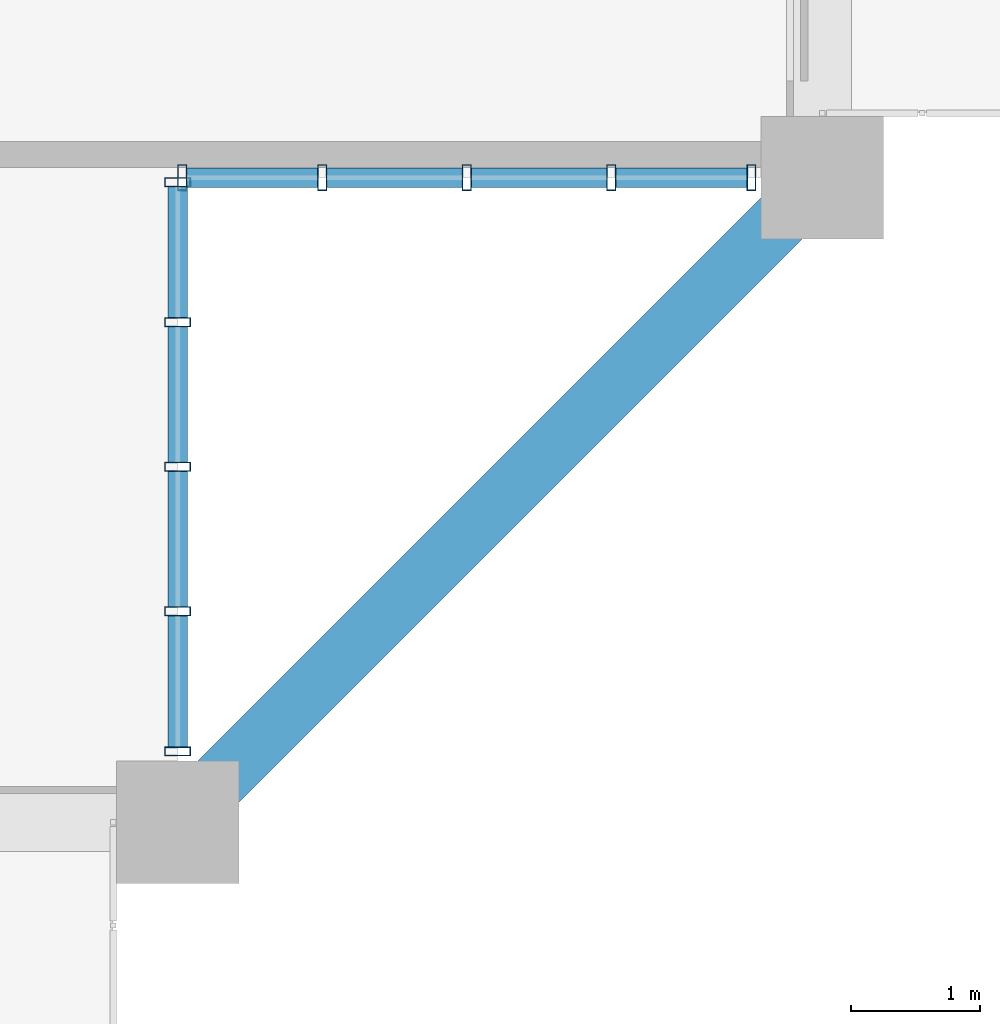
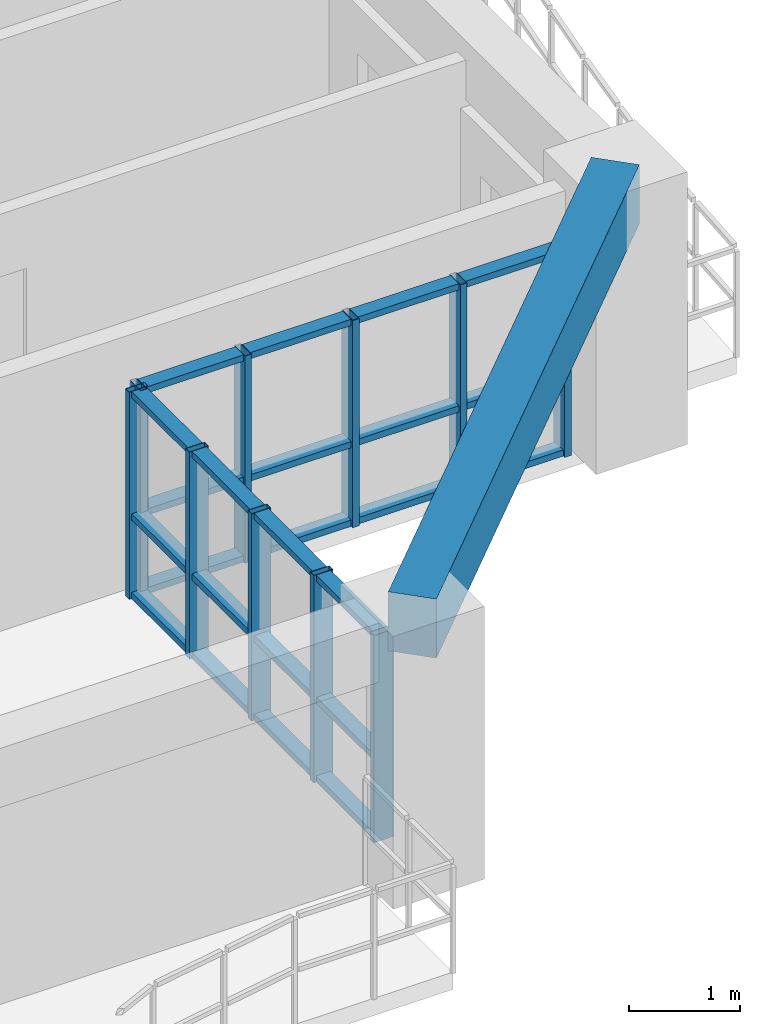
# One storey, part 4 of 23: 34 members, 1 beam, 2 elements without a shape of their own.
"""IFC4 building model written with IfcOpenShell, lengths in metres."""

from ifc_helpers import new_model, si_unit, direction, frame, origin, origin_2d, place, context, subcontext, project, spatial, rectangle, hollow_rectangle, extrude, source, transform, mapped, material, layer, layer_set, material_profile, profile_set, type_object, element, aggregate, save


model = new_model("IFC4")

# Units and contexts
model_context = context("Model", 3, precision=1e-05, world=origin(), true_north=direction((0.0, 1.0)))
body_context = subcontext(model_context, "Body", "Model", "MODEL_VIEW")
ifc_project = project(units=[si_unit("LENGTHUNIT", "METRE"), si_unit("AREAUNIT", "SQUARE_METRE"), si_unit("VOLUMEUNIT", "CUBIC_METRE"), si_unit("PLANEANGLEUNIT", "RADIAN"), si_unit("MASSUNIT", "GRAM", prefix="KILO")], contexts=[model_context])

# Site, building, storey
site_placement = place(None, origin())
site = spatial("IfcSite", under=ifc_project, at=site_placement, CompositionType="ELEMENT")
building_placement = place(site_placement, origin())
building = spatial("IfcBuilding", under=site, at=building_placement, Name="Saelheon Loggia Tower", CompositionType="ELEMENT")
storey_placement = place(building_placement, frame((0.0, 0.0, 156.10009765625)))
storey = spatial("IfcBuildingStorey", under=building, at=storey_placement, Name="L49", CompositionType="ELEMENT", Elevation=156.10009765625)

# Beam
ifc_material_1 = material(Name="Concrete C40/50", Category="concrete")
ifc_material_profile_1 = material_profile(ifc_material_1, rectangle(XDim=0.449951171875, YDim=0.64990234375, at=origin_2d()), Name="RC-450x650")
ifc_profile_set_1 = profile_set([ifc_material_profile_1], Name="Concrete C40/50")
beam_type = type_object("IfcBeamType", Name="Beam_PerimTower_RC450x650", PredefinedType="BEAM", material=ifc_profile_set_1)
shared_shape_1 = source(origin(), body_context, "Body", "SweptSolid", [
    extrude(rectangle(XDim=0.449951171875, YDim=0.64990234375, at=origin_2d()), origin(), (0.0, 0.0, 1.0), 7.071044921875),
])
beam_placement = place(storey_placement, frame((55.0, 6.0, 2.6748046875), z_axis=(0.707106781187, 0.707106781187, 0.0), x_axis=(-0.707106781187, 0.707106781187, 0.0)))
element("IfcBeam", 1, at=beam_placement, inside=storey, type_object=beam_type, Name="L49 Perimeter Frame Girder 04", PredefinedType="BEAM", context=body_context, shape_type="MappedRepresentation", body=[
    mapped(shared_shape_1, transform((0.0, 0.0, 0.0), scale=1.0)),
])

# Curtain wall, members
ifc_material_2 = material(Name="High-Wind Aluminium and Triple Laminated Glass", Category="aluminium")
ifc_layer = layer(ifc_material_2, 0.179931640625)
ifc_layer_set = layer_set([ifc_layer], Name="High-Wind Aluminium and Triple Laminated Glass")
curtain_wall_type = type_object("IfcCurtainWallType", Name="CW_TowerLoggiaHigh", PredefinedType="NOTDEFINED", material=ifc_layer_set)
curtain_wall_1_placement = place(storey_placement, origin())
curtain_wall_1 = element("IfcCurtainWall", 2, at=curtain_wall_1_placement, inside=storey, type_object=curtain_wall_type, Name="L49 Corner Notch Glazing SE1", PredefinedType="NOTDEFINED")
ifc_material_3 = material(Name="Anodised Aluminium 6063-T6", Category="aluminium")
ifc_material_profile_2 = material_profile(ifc_material_3, hollow_rectangle(XDim=0.070068359375, YDim=0.199951171875, WallThickness=0.0048828125, at=origin_2d()), Name="RHS-200x70x5")
ifc_profile_set_2 = profile_set([ifc_material_profile_2], Name="Anodised Aluminium 6063-T6")
member_type_1 = type_object("IfcMemberType", Name="CW_TowerLoggiaHigh_Mullion", PredefinedType="MULLION", material=ifc_profile_set_2)
shared_shape_2 = source(origin(), body_context, "Body", "SweptSolid", [
    extrude(hollow_rectangle(XDim=0.070068359375, YDim=0.199951171875, WallThickness=0.0048828125, at=origin_2d()), origin(), (0.0, 0.0, 1.0), 2.27978515625),
])
member_1_placement = place(storey_placement, frame((55.0, 6.550048828125, 0.0), z_axis=(0.0, 0.0, 1.0), x_axis=(0.0, 1.0, 0.0)))
member_1 = element("IfcMember", 3, at=member_1_placement, type_object=member_type_1, Name="CW4 mullion 1", PredefinedType="MULLION", context=body_context, shape_type="MappedRepresentation", body=[
    mapped(shared_shape_2, transform((0.0, 0.0, 0.0), scale=1.0)),
])
member_2_placement = place(storey_placement, frame((55.0, 7.63623046875, 0.0), z_axis=(0.0, 0.0, 1.0), x_axis=(0.0, 1.0, 0.0)))
member_2 = element("IfcMember", 4, at=member_2_placement, type_object=member_type_1, Name="CW4 mullion 2", PredefinedType="MULLION", context=body_context, shape_type="MappedRepresentation", body=[
    mapped(shared_shape_2, transform((0.0, 0.0, 0.0), scale=1.0)),
])
member_3_placement = place(storey_placement, frame((55.0, 8.757568359375, 0.0), z_axis=(0.0, 0.0, 1.0), x_axis=(0.0, 1.0, 0.0)))
member_3 = element("IfcMember", 5, at=member_3_placement, type_object=member_type_1, Name="CW4 mullion 3", PredefinedType="MULLION", context=body_context, shape_type="MappedRepresentation", body=[
    mapped(shared_shape_2, transform((0.0, 0.0, 0.0), scale=1.0)),
])
member_4_placement = place(storey_placement, frame((55.0, 9.878662109375, 0.0), z_axis=(0.0, 0.0, 1.0), x_axis=(0.0, 1.0, 0.0)))
member_4 = element("IfcMember", 6, at=member_4_placement, type_object=member_type_1, Name="CW4 mullion 4", PredefinedType="MULLION", context=body_context, shape_type="MappedRepresentation", body=[
    mapped(shared_shape_2, transform((0.0, 0.0, 0.0), scale=1.0)),
])
member_5_placement = place(storey_placement, frame((55.0, 10.965087890625, 0.0), z_axis=(0.0, 0.0, 1.0), x_axis=(0.0, 1.0, 0.0)))
member_5 = element("IfcMember", 7, at=member_5_placement, type_object=member_type_1, Name="CW4 mullion 5", PredefinedType="MULLION", context=body_context, shape_type="MappedRepresentation", body=[
    mapped(shared_shape_2, transform((0.0, 0.0, 0.0), scale=1.0)),
])

curtain_wall_2_placement = place(storey_placement, origin())
curtain_wall_2 = element("IfcCurtainWall", 8, at=curtain_wall_2_placement, inside=storey, type_object=curtain_wall_type, Name="L49 Corner Notch Glazing SE2", PredefinedType="NOTDEFINED")
member_6_placement = place(storey_placement, frame((55.034912109375, 11.0, 0.0), z_axis=(0.0, 0.0, 1.0), x_axis=(1.0, 0.0, 0.0)))
member_6 = element("IfcMember", 9, at=member_6_placement, type_object=member_type_1, Name="CW4 mullion 1", PredefinedType="MULLION", context=body_context, shape_type="MappedRepresentation", body=[
    mapped(shared_shape_2, transform((0.0, 0.0, 0.0), scale=1.0)),
])
member_7_placement = place(storey_placement, frame((56.121337890625, 11.0, 0.0), z_axis=(0.0, 0.0, 1.0), x_axis=(1.0, 0.0, 0.0)))
member_7 = element("IfcMember", 10, at=member_7_placement, type_object=member_type_1, Name="CW4 mullion 2", PredefinedType="MULLION", context=body_context, shape_type="MappedRepresentation", body=[
    mapped(shared_shape_2, transform((0.0, 0.0, 0.0), scale=1.0)),
])
member_8_placement = place(storey_placement, frame((57.242431640625, 11.0, 0.0), z_axis=(0.0, 0.0, 1.0), x_axis=(1.0, 0.0, 0.0)))
member_8 = element("IfcMember", 11, at=member_8_placement, type_object=member_type_1, Name="CW4 mullion 3", PredefinedType="MULLION", context=body_context, shape_type="MappedRepresentation", body=[
    mapped(shared_shape_2, transform((0.0, 0.0, 0.0), scale=1.0)),
])
member_9_placement = place(storey_placement, frame((58.36376953125, 11.0, 0.0), z_axis=(0.0, 0.0, 1.0), x_axis=(1.0, 0.0, 0.0)))
member_9 = element("IfcMember", 12, at=member_9_placement, type_object=member_type_1, Name="CW4 mullion 4", PredefinedType="MULLION", context=body_context, shape_type="MappedRepresentation", body=[
    mapped(shared_shape_2, transform((0.0, 0.0, 0.0), scale=1.0)),
])
member_10_placement = place(storey_placement, frame((59.449951171875, 11.0, 0.0), z_axis=(0.0, 0.0, 1.0), x_axis=(1.0, 0.0, 0.0)))
member_10 = element("IfcMember", 13, at=member_10_placement, type_object=member_type_1, Name="CW4 mullion 5", PredefinedType="MULLION", context=body_context, shape_type="MappedRepresentation", body=[
    mapped(shared_shape_2, transform((0.0, 0.0, 0.0), scale=1.0)),
])

# Member
ifc_material_profile_3 = material_profile(ifc_material_3, hollow_rectangle(XDim=0.070068359375, YDim=0.14990234375, WallThickness=0.0048828125, at=origin_2d()), Name="RHS-150x70x5")
ifc_profile_set_3 = profile_set([ifc_material_profile_3], Name="Anodised Aluminium 6063-T6")
member_type_2 = type_object("IfcMemberType", Name="CW_TowerLoggiaHigh_Transom", PredefinedType="USERDEFINED", material=ifc_profile_set_3)
shared_shape_3 = source(origin(), body_context, "Body", "SweptSolid", [
    extrude(hollow_rectangle(XDim=0.070068359375, YDim=0.14990234375, WallThickness=0.0048828125, at=origin_2d()), origin(), (0.0, 0.0, 1.0), 1.016357421875),
])
member_11_placement = place(storey_placement, frame((55.0, 6.5849609375, 0.034912109375), z_axis=(0.0, 1.0, 0.0), x_axis=(0.0, 0.0, 1.0)))
member_11 = element("IfcMember", 14, at=member_11_placement, type_object=member_type_2, Name="CW4 transom 1.1", ObjectType="TRANSOM", PredefinedType="USERDEFINED", context=body_context, shape_type="MappedRepresentation", body=[
    mapped(shared_shape_3, transform((0.0, 0.0, 0.0), scale=1.0)),
])

member_12_placement = place(storey_placement, frame((55.0, 6.5849609375, 0.89990234375), z_axis=(0.0, 1.0, 0.0), x_axis=(0.0, 0.0, 1.0)))
member_12 = element("IfcMember", 15, at=member_12_placement, type_object=member_type_2, Name="CW4 transom 1.2", ObjectType="TRANSOM", PredefinedType="USERDEFINED", context=body_context, shape_type="MappedRepresentation", body=[
    mapped(shared_shape_3, transform((0.0, 0.0, 0.0), scale=1.0)),
])

member_13_placement = place(storey_placement, frame((55.0, 6.5849609375, 2.244873046875), z_axis=(0.0, 1.0, 0.0), x_axis=(0.0, 0.0, 1.0)))
member_13 = element("IfcMember", 16, at=member_13_placement, type_object=member_type_2, Name="CW4 transom 1.3", ObjectType="TRANSOM", PredefinedType="USERDEFINED", context=body_context, shape_type="MappedRepresentation", body=[
    mapped(shared_shape_3, transform((0.0, 0.0, 0.0), scale=1.0)),
])

member_14_placement = place(storey_placement, frame((58.398681640625, 11.0, 0.034912109375), z_axis=(1.0, 0.0, 0.0), x_axis=(0.0, 0.0, 1.0)))
member_14 = element("IfcMember", 17, at=member_14_placement, type_object=member_type_2, Name="CW4 transom 4.1", ObjectType="TRANSOM", PredefinedType="USERDEFINED", context=body_context, shape_type="MappedRepresentation", body=[
    mapped(shared_shape_3, transform((0.0, 0.0, 0.0), scale=1.0)),
])

member_15_placement = place(storey_placement, frame((58.398681640625, 11.0, 0.89990234375), z_axis=(1.0, 0.0, 0.0), x_axis=(0.0, 0.0, 1.0)))
member_15 = element("IfcMember", 18, at=member_15_placement, type_object=member_type_2, Name="CW4 transom 4.2", ObjectType="TRANSOM", PredefinedType="USERDEFINED", context=body_context, shape_type="MappedRepresentation", body=[
    mapped(shared_shape_3, transform((0.0, 0.0, 0.0), scale=1.0)),
])

member_16_placement = place(storey_placement, frame((58.398681640625, 11.0, 2.244873046875), z_axis=(1.0, 0.0, 0.0), x_axis=(0.0, 0.0, 1.0)))
member_16 = element("IfcMember", 19, at=member_16_placement, type_object=member_type_2, Name="CW4 transom 4.3", ObjectType="TRANSOM", PredefinedType="USERDEFINED", context=body_context, shape_type="MappedRepresentation", body=[
    mapped(shared_shape_3, transform((0.0, 0.0, 0.0), scale=1.0)),
])

shared_shape_4 = source(origin(), body_context, "Body", "SweptSolid", [
    extrude(hollow_rectangle(XDim=0.070068359375, YDim=0.14990234375, WallThickness=0.0048828125, at=origin_2d()), origin(), (0.0, 0.0, 1.0), 1.05126953125),
])
member_17_placement = place(storey_placement, frame((55.0, 7.671142578125, 0.034912109375), z_axis=(0.0, 1.0, 0.0), x_axis=(0.0, 0.0, 1.0)))
member_17 = element("IfcMember", 20, at=member_17_placement, type_object=member_type_2, Name="CW4 transom 2.1", ObjectType="TRANSOM", PredefinedType="USERDEFINED", context=body_context, shape_type="MappedRepresentation", body=[
    mapped(shared_shape_4, transform((0.0, 0.0, 0.0), scale=1.0)),
])

member_18_placement = place(storey_placement, frame((55.0, 7.671142578125, 0.89990234375), z_axis=(0.0, 1.0, 0.0), x_axis=(0.0, 0.0, 1.0)))
member_18 = element("IfcMember", 21, at=member_18_placement, type_object=member_type_2, Name="CW4 transom 2.2", ObjectType="TRANSOM", PredefinedType="USERDEFINED", context=body_context, shape_type="MappedRepresentation", body=[
    mapped(shared_shape_4, transform((0.0, 0.0, 0.0), scale=1.0)),
])

member_19_placement = place(storey_placement, frame((55.0, 7.671142578125, 2.244873046875), z_axis=(0.0, 1.0, 0.0), x_axis=(0.0, 0.0, 1.0)))
member_19 = element("IfcMember", 22, at=member_19_placement, type_object=member_type_2, Name="CW4 transom 2.3", ObjectType="TRANSOM", PredefinedType="USERDEFINED", context=body_context, shape_type="MappedRepresentation", body=[
    mapped(shared_shape_4, transform((0.0, 0.0, 0.0), scale=1.0)),
])

member_20_placement = place(storey_placement, frame((55.0, 8.79248046875, 0.034912109375), z_axis=(0.0, 1.0, 0.0), x_axis=(0.0, 0.0, 1.0)))
member_20 = element("IfcMember", 23, at=member_20_placement, type_object=member_type_2, Name="CW4 transom 3.1", ObjectType="TRANSOM", PredefinedType="USERDEFINED", context=body_context, shape_type="MappedRepresentation", body=[
    mapped(shared_shape_4, transform((0.0, 0.0, 0.0), scale=1.0)),
])

member_21_placement = place(storey_placement, frame((55.0, 8.79248046875, 0.89990234375), z_axis=(0.0, 1.0, 0.0), x_axis=(0.0, 0.0, 1.0)))
member_21 = element("IfcMember", 24, at=member_21_placement, type_object=member_type_2, Name="CW4 transom 3.2", ObjectType="TRANSOM", PredefinedType="USERDEFINED", context=body_context, shape_type="MappedRepresentation", body=[
    mapped(shared_shape_4, transform((0.0, 0.0, 0.0), scale=1.0)),
])

member_22_placement = place(storey_placement, frame((55.0, 8.79248046875, 2.244873046875), z_axis=(0.0, 1.0, 0.0), x_axis=(0.0, 0.0, 1.0)))
member_22 = element("IfcMember", 25, at=member_22_placement, type_object=member_type_2, Name="CW4 transom 3.3", ObjectType="TRANSOM", PredefinedType="USERDEFINED", context=body_context, shape_type="MappedRepresentation", body=[
    mapped(shared_shape_4, transform((0.0, 0.0, 0.0), scale=1.0)),
])

member_23_placement = place(storey_placement, frame((56.15625, 11.0, 0.034912109375), z_axis=(1.0, 0.0, 0.0), x_axis=(0.0, 0.0, 1.0)))
member_23 = element("IfcMember", 26, at=member_23_placement, type_object=member_type_2, Name="CW4 transom 2.1", ObjectType="TRANSOM", PredefinedType="USERDEFINED", context=body_context, shape_type="MappedRepresentation", body=[
    mapped(shared_shape_4, transform((0.0, 0.0, 0.0), scale=1.0)),
])

member_24_placement = place(storey_placement, frame((56.15625, 11.0, 0.89990234375), z_axis=(1.0, 0.0, 0.0), x_axis=(0.0, 0.0, 1.0)))
member_24 = element("IfcMember", 27, at=member_24_placement, type_object=member_type_2, Name="CW4 transom 2.2", ObjectType="TRANSOM", PredefinedType="USERDEFINED", context=body_context, shape_type="MappedRepresentation", body=[
    mapped(shared_shape_4, transform((0.0, 0.0, 0.0), scale=1.0)),
])

member_25_placement = place(storey_placement, frame((56.15625, 11.0, 2.244873046875), z_axis=(1.0, 0.0, 0.0), x_axis=(0.0, 0.0, 1.0)))
member_25 = element("IfcMember", 28, at=member_25_placement, type_object=member_type_2, Name="CW4 transom 2.3", ObjectType="TRANSOM", PredefinedType="USERDEFINED", context=body_context, shape_type="MappedRepresentation", body=[
    mapped(shared_shape_4, transform((0.0, 0.0, 0.0), scale=1.0)),
])

member_26_placement = place(storey_placement, frame((57.277587890625, 11.0, 0.034912109375), z_axis=(1.0, 0.0, 0.0), x_axis=(0.0, 0.0, 1.0)))
member_26 = element("IfcMember", 29, at=member_26_placement, type_object=member_type_2, Name="CW4 transom 3.1", ObjectType="TRANSOM", PredefinedType="USERDEFINED", context=body_context, shape_type="MappedRepresentation", body=[
    mapped(shared_shape_4, transform((0.0, 0.0, 0.0), scale=1.0)),
])

member_27_placement = place(storey_placement, frame((57.277587890625, 11.0, 0.89990234375), z_axis=(1.0, 0.0, 0.0), x_axis=(0.0, 0.0, 1.0)))
member_27 = element("IfcMember", 30, at=member_27_placement, type_object=member_type_2, Name="CW4 transom 3.2", ObjectType="TRANSOM", PredefinedType="USERDEFINED", context=body_context, shape_type="MappedRepresentation", body=[
    mapped(shared_shape_4, transform((0.0, 0.0, 0.0), scale=1.0)),
])

member_28_placement = place(storey_placement, frame((57.277587890625, 11.0, 2.244873046875), z_axis=(1.0, 0.0, 0.0), x_axis=(0.0, 0.0, 1.0)))
member_28 = element("IfcMember", 31, at=member_28_placement, type_object=member_type_2, Name="CW4 transom 3.3", ObjectType="TRANSOM", PredefinedType="USERDEFINED", context=body_context, shape_type="MappedRepresentation", body=[
    mapped(shared_shape_4, transform((0.0, 0.0, 0.0), scale=1.0)),
])

shared_shape_5 = source(origin(), body_context, "Body", "SweptSolid", [
    extrude(hollow_rectangle(XDim=0.070068359375, YDim=0.14990234375, WallThickness=0.0048828125, at=origin_2d()), origin(), (0.0, 0.0, 1.0), 1.01611328125),
])
member_29_placement = place(storey_placement, frame((55.0, 9.913818359375, 0.034912109375), z_axis=(0.0, 1.0, 0.0), x_axis=(0.0, 0.0, 1.0)))
member_29 = element("IfcMember", 32, at=member_29_placement, type_object=member_type_2, Name="CW4 transom 4.1", ObjectType="TRANSOM", PredefinedType="USERDEFINED", context=body_context, shape_type="MappedRepresentation", body=[
    mapped(shared_shape_5, transform((0.0, 0.0, 0.0), scale=1.0)),
])

member_30_placement = place(storey_placement, frame((55.0, 9.913818359375, 0.89990234375), z_axis=(0.0, 1.0, 0.0), x_axis=(0.0, 0.0, 1.0)))
member_30 = element("IfcMember", 33, at=member_30_placement, type_object=member_type_2, Name="CW4 transom 4.2", ObjectType="TRANSOM", PredefinedType="USERDEFINED", context=body_context, shape_type="MappedRepresentation", body=[
    mapped(shared_shape_5, transform((0.0, 0.0, 0.0), scale=1.0)),
])

member_31_placement = place(storey_placement, frame((55.0, 9.913818359375, 2.244873046875), z_axis=(0.0, 1.0, 0.0), x_axis=(0.0, 0.0, 1.0)))
member_31 = element("IfcMember", 34, at=member_31_placement, type_object=member_type_2, Name="CW4 transom 4.3", ObjectType="TRANSOM", PredefinedType="USERDEFINED", context=body_context, shape_type="MappedRepresentation", body=[
    mapped(shared_shape_5, transform((0.0, 0.0, 0.0), scale=1.0)),
])

aggregate(curtain_wall_1, [member_1, member_2, member_3, member_4, member_5, member_11, member_12, member_13, member_17, member_18, member_19, member_20, member_21, member_22, member_29, member_30, member_31])

member_32_placement = place(storey_placement, frame((55.070068359375, 11.0, 0.034912109375), z_axis=(1.0, 0.0, 0.0), x_axis=(0.0, 0.0, 1.0)))
member_32 = element("IfcMember", 35, at=member_32_placement, type_object=member_type_2, Name="CW4 transom 1.1", ObjectType="TRANSOM", PredefinedType="USERDEFINED", context=body_context, shape_type="MappedRepresentation", body=[
    mapped(shared_shape_5, transform((0.0, 0.0, 0.0), scale=1.0)),
])

member_33_placement = place(storey_placement, frame((55.070068359375, 11.0, 0.89990234375), z_axis=(1.0, 0.0, 0.0), x_axis=(0.0, 0.0, 1.0)))
member_33 = element("IfcMember", 36, at=member_33_placement, type_object=member_type_2, Name="CW4 transom 1.2", ObjectType="TRANSOM", PredefinedType="USERDEFINED", context=body_context, shape_type="MappedRepresentation", body=[
    mapped(shared_shape_5, transform((0.0, 0.0, 0.0), scale=1.0)),
])

member_34_placement = place(storey_placement, frame((55.070068359375, 11.0, 2.244873046875), z_axis=(1.0, 0.0, 0.0), x_axis=(0.0, 0.0, 1.0)))
member_34 = element("IfcMember", 37, at=member_34_placement, type_object=member_type_2, Name="CW4 transom 1.3", ObjectType="TRANSOM", PredefinedType="USERDEFINED", context=body_context, shape_type="MappedRepresentation", body=[
    mapped(shared_shape_5, transform((0.0, 0.0, 0.0), scale=1.0)),
])

aggregate(curtain_wall_2, [member_6, member_7, member_8, member_9, member_10, member_32, member_33, member_34, member_23, member_24, member_25, member_26, member_27, member_28, member_14, member_15, member_16])

save(model, "model.ifc")
